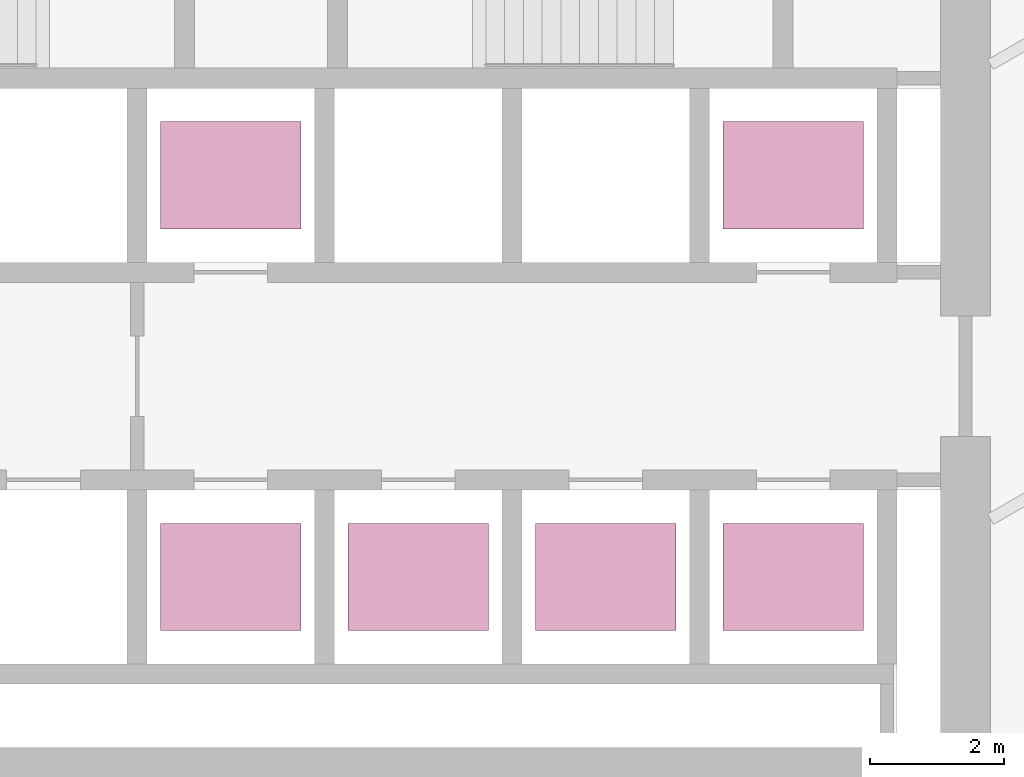
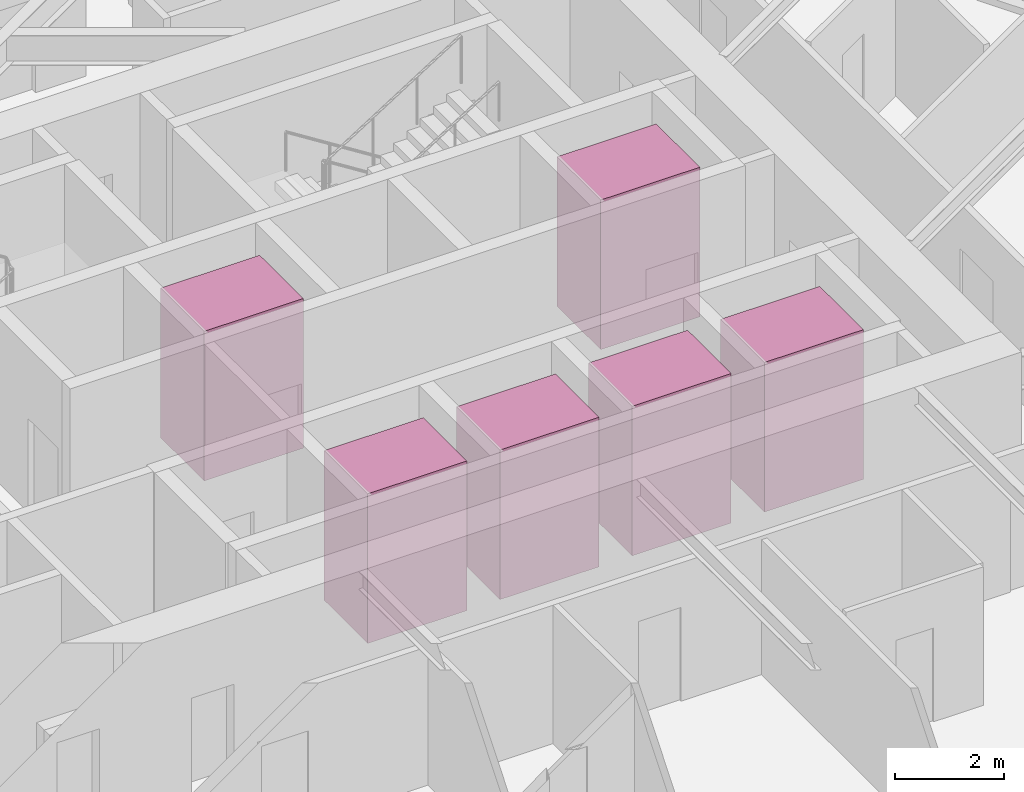
# One storey, part 19 of 19: 6 transport elements.
"""IFC4 building model written with IfcOpenShell, lengths in metres."""

from ifc_helpers import new_model, si_unit, direction, frame, origin, origin_2d, place, context, subcontext, project, spatial, rectangle, extrude, material, type_object, element, save


model = new_model("IFC4")

# Units and contexts
model_context = context("Model", 3, precision=1e-05, world=origin(), true_north=direction((0.0, 1.0)))
body_context = subcontext(model_context, "Body", "Model", "MODEL_VIEW")
ifc_project = project(units=[si_unit("LENGTHUNIT", "METRE"), si_unit("AREAUNIT", "SQUARE_METRE"), si_unit("VOLUMEUNIT", "CUBIC_METRE"), si_unit("PLANEANGLEUNIT", "RADIAN"), si_unit("MASSUNIT", "GRAM", prefix="KILO")], contexts=[model_context])

# Site, building, storey
site_placement = place(None, origin())
site = spatial("IfcSite", under=ifc_project, at=site_placement, CompositionType="ELEMENT")
building_placement = place(site_placement, origin())
building = spatial("IfcBuilding", under=site, at=building_placement, Name="Firuza Gate Tower and Library", CompositionType="ELEMENT")
storey_placement = place(building_placement, frame((0.0, 0.0, 183.10009765625)))
storey = spatial("IfcBuildingStorey", under=building, at=storey_placement, Name="L42", CompositionType="ELEMENT", Elevation=183.10009765625)

# Transport elements
ifc_material = material(Name="Stainless steel and glass", Category="steel")
transport_element_type = type_object("IfcTransportElementType", Name="Mid-rise lift car 2100x1600", PredefinedType="ELEVATOR", material=ifc_material)
for number, where, z_axis, x_axis, name in (
    (1, (74.64990234375, 70.300048828125, -0.000244140625), (0.0, 0.0, 1.0), (1.0, 0.0, 0.0), "Mid-rise lift MR1"),
    (2, (77.449951171875, 70.300048828125, -0.000244140625), (0.0, 0.0, 1.0), (1.0, 0.0, 0.0), "Mid-rise lift MR2"),
    (3, (80.25, 70.300048828125, -0.000244140625), (0.0, 0.0, 1.0), (1.0, 0.0, 0.0), "Mid-rise lift MR3"),
    (4, (74.64990234375, 76.300048828125, -0.000244140625), (0.0, 0.0, 1.0), (1.0, 0.0, 0.0), "Mid-rise lift MR4"),
    (5, (83.050048828125, 70.300048828125, -0.000244140625), (0.0, 0.0, 1.0), (1.0, 0.0, 0.0), "Mid-rise lift MR5"),
    (6, (83.050048828125, 76.300048828125, -0.000244140625), (0.0, 0.0, 1.0), (1.0, 0.0, 0.0), "Mid-rise lift MR6"),
):
    element("IfcTransportElement", number, at=place(storey_placement, frame(where, z_axis=z_axis, x_axis=x_axis)), inside=storey, type_object=transport_element_type, Name=name, PredefinedType="ELEVATOR", context=body_context, shape_type="SweptSolid", body=[
        extrude(rectangle(XDim=2.10009765625, YDim=1.60009765625, at=origin_2d()), origin(), (0.0, 0.0, 1.0), 3.35009765625),
    ])

save(model, "model.ifc")
